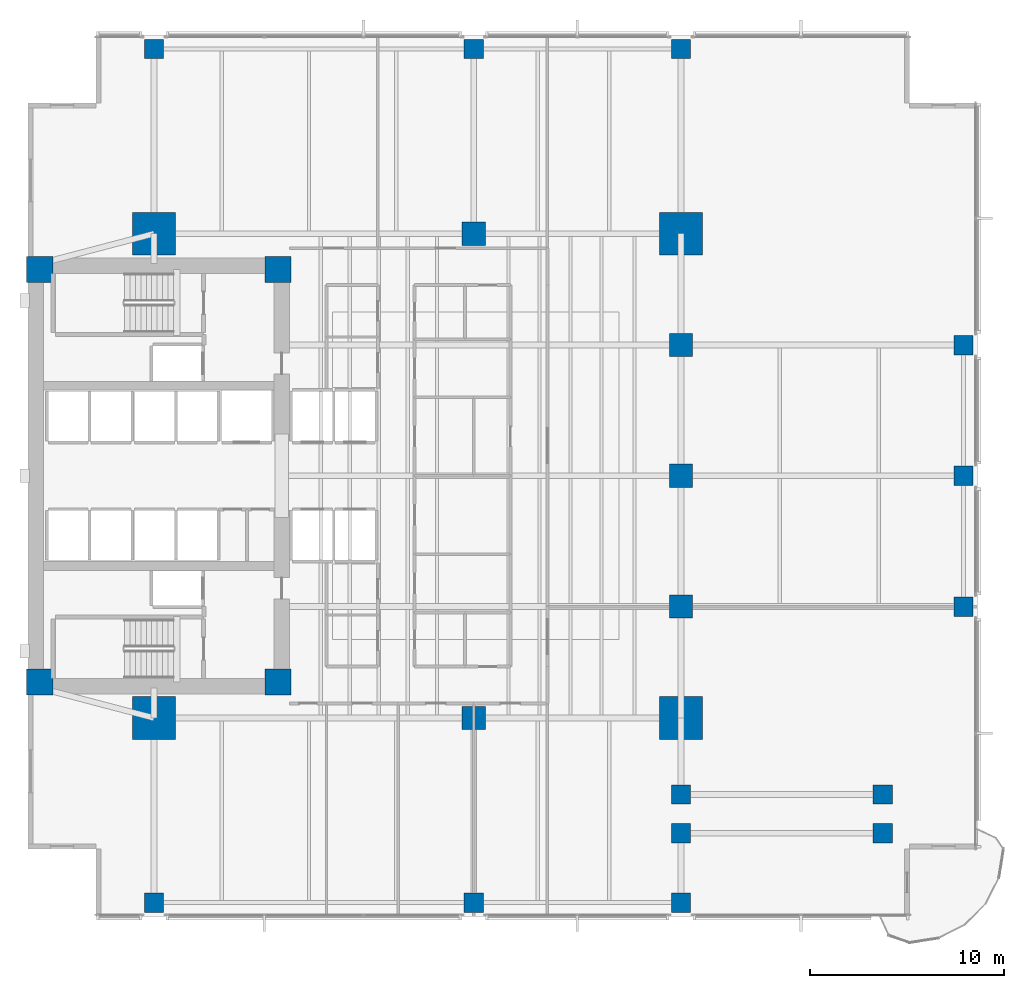
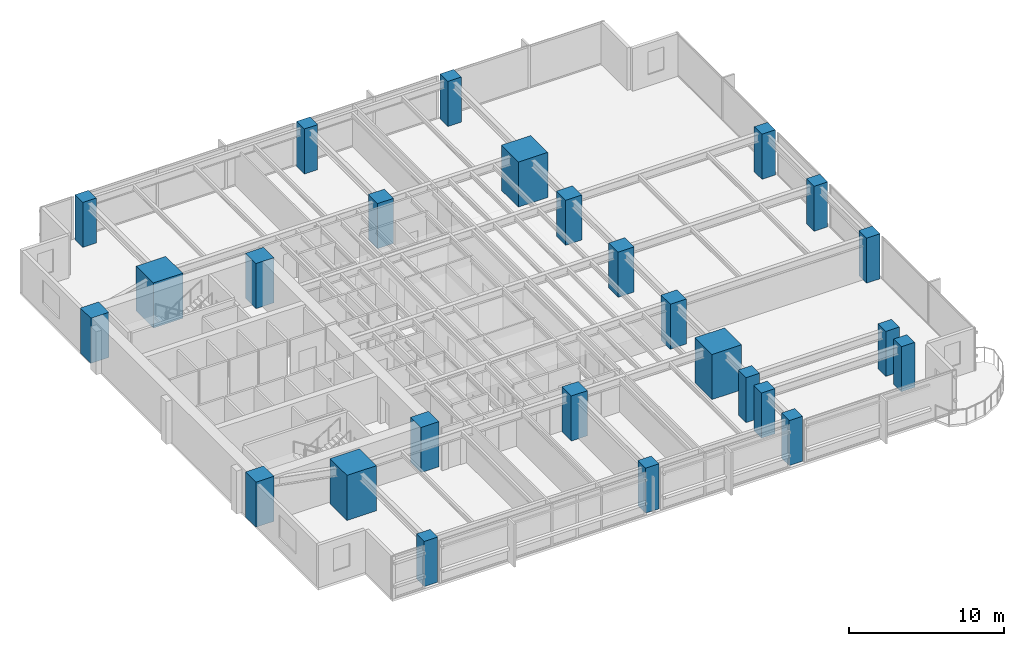
# One storey, part 1 of 15: 26 columns.
"""IFC4 building model written with IfcOpenShell, lengths in metres."""

from ifc_helpers import new_model, si_unit, direction, frame, origin, origin_2d, place, context, subcontext, project, spatial, rectangle, extrude, material, material_profile, profile_set, type_object, element, save


model = new_model("IFC4")

# Units and contexts
model_context = context("Model", 3, precision=1e-05, world=origin(), true_north=direction((0.0, 1.0)))
body_context = subcontext(model_context, "Body", "Model", "MODEL_VIEW")
ifc_project = project(units=[si_unit("LENGTHUNIT", "METRE"), si_unit("AREAUNIT", "SQUARE_METRE"), si_unit("VOLUMEUNIT", "CUBIC_METRE"), si_unit("PLANEANGLEUNIT", "RADIAN"), si_unit("MASSUNIT", "GRAM", prefix="KILO")], contexts=[model_context])

# Site, building, storey
site_placement = place(None, origin())
site = spatial("IfcSite", under=ifc_project, at=site_placement, CompositionType="ELEMENT")
building_placement = place(site_placement, origin())
building = spatial("IfcBuilding", under=site, at=building_placement, Name="Kinhvarn Gate Tower", CompositionType="ELEMENT")
storey_placement = place(building_placement, frame((0.0, 0.0, 89.5)))
storey = spatial("IfcBuildingStorey", under=building, at=storey_placement, Name="L23", CompositionType="ELEMENT", Elevation=89.5)

# Columns
ifc_material_1 = material(Name="Concrete C70/85", Category="concrete")
ifc_material_profile_1 = material_profile(ifc_material_1, rectangle(XDim=2.199951171875, YDim=2.199951171875, at=origin_2d()), Name="RC 2200x2200")
ifc_profile_set_1 = profile_set([ifc_material_profile_1], Name="Concrete C70/85")
column_type_1 = type_object("IfcColumnType", Name="COL-MC-2200", PredefinedType="COLUMN", material=ifc_profile_set_1)
for number, where, z_axis, x_axis, name in (
    (1, (11.0, 12.75, 0.0), (0.0, 0.0, 1.0), (1.0, 0.0, 0.0), "Column MC1-L23 (MC-22)"),
    (2, (11.0, 37.75, 0.0), (0.0, 0.0, 1.0), (1.0, 0.0, 0.0), "Column MC4-L23 (MC-22)"),
    (3, (38.199951171875, 12.75, 0.0), (0.0, 0.0, 1.0), (1.0, 0.0, 0.0), "Column MC2-L23 (MC-22)"),
    (4, (38.199951171875, 37.75, 0.0), (0.0, 0.0, 1.0), (1.0, 0.0, 0.0), "Column MC3-L23 (MC-22)"),
):
    element("IfcColumn", number, at=place(storey_placement, frame(where, z_axis=z_axis, x_axis=x_axis)), inside=storey, type_object=column_type_1, Name=name, PredefinedType="COLUMN", context=body_context, shape_type="SweptSolid", body=[
        extrude(rectangle(XDim=2.199951171875, YDim=2.199951171875, at=origin_2d()), origin(), (0.0, 0.0, 1.0), 3.550048828125),
    ])
ifc_material_2 = material(Name="Concrete C60/75", Category="concrete")
ifc_material_profile_2 = material_profile(ifc_material_2, rectangle(XDim=1.0, YDim=1.0, at=origin_2d()), Name="RC 1000x1000")
ifc_profile_set_2 = profile_set([ifc_material_profile_2], Name="Concrete C60/75")
column_type_2 = type_object("IfcColumnType", Name="COL-RC-1000", PredefinedType="COLUMN", material=ifc_profile_set_2)
for number, where, z_axis, x_axis, name in (
    (5, (48.6201171875, 6.800048828125, 0.0), (0.0, 0.0, 1.0), (1.0, 0.0, 0.0), "Column CS-SE1-L23 (C-100)"),
    (6, (38.199951171875, 6.800048828125, 0.0), (0.0, 0.0, 1.0), (1.0, 0.0, 0.0), "Column CS-ANC68-L23 (C-100)"),
    (7, (38.199951171875, 8.800048828125, 0.0), (0.0, 0.0, 1.0), (1.0, 0.0, 0.0), "Column CS-ANC88-L23 (C-100)"),
    (8, (48.6201171875, 8.800048828125, 0.0), (0.0, 0.0, 1.0), (1.0, 0.0, 0.0), "Column CS-SE1B-L23 (C-100)"),
    (9, (52.780029296875, 18.5, 0.0), (0.0, 0.0, 1.0), (1.0, 0.0, 0.0), "Column CE-1-L23 (C-100)"),
    (10, (52.780029296875, 25.25, 0.0), (0.0, 0.0, 1.0), (1.0, 0.0, 0.0), "Column CE-2-L23 (C-100)"),
    (11, (52.780029296875, 32.0, 0.0), (0.0, 0.0, 1.0), (1.0, 0.0, 0.0), "Column CE-3-L23 (C-100)"),
    (12, (11.0, 3.219970703125, 0.0), (0.0, 0.0, 1.0), (1.0, 0.0, 0.0), "Column CS-0-L23 (C-100)"),
    (13, (27.5, 3.219970703125, 0.0), (0.0, 0.0, 1.0), (1.0, 0.0, 0.0), "Column CS-1-L23 (C-100)"),
    (14, (38.199951171875, 3.219970703125, 0.0), (0.0, 0.0, 1.0), (1.0, 0.0, 0.0), "Column CS-2-L23 (C-100)"),
    (15, (11.0, 47.280029296875, 0.0), (0.0, 0.0, 1.0), (1.0, 0.0, 0.0), "Column CN-0-L23 (C-100)"),
    (16, (27.5, 47.280029296875, 0.0), (0.0, 0.0, 1.0), (1.0, 0.0, 0.0), "Column CN-1-L23 (C-100)"),
    (17, (38.199951171875, 47.280029296875, 0.0), (0.0, 0.0, 1.0), (1.0, 0.0, 0.0), "Column CN-2-L23 (C-100)"),
):
    element("IfcColumn", number, at=place(storey_placement, frame(where, z_axis=z_axis, x_axis=x_axis)), inside=storey, type_object=column_type_2, Name=name, PredefinedType="COLUMN", context=body_context, shape_type="SweptSolid", body=[
        extrude(rectangle(XDim=1.0, YDim=1.0, at=origin_2d()), origin(), (0.0, 0.0, 1.0), 3.550048828125),
    ])
ifc_material_profile_3 = material_profile(ifc_material_2, rectangle(XDim=1.199951171875, YDim=1.199951171875, at=origin_2d()), Name="RC 1200x1200")
ifc_profile_set_3 = profile_set([ifc_material_profile_3], Name="Concrete C60/75")
column_type_3 = type_object("IfcColumnType", Name="COL-RC-1200", PredefinedType="COLUMN", material=ifc_profile_set_3)
for number, where, z_axis, x_axis, name in (
    (18, (27.5, 12.75, 0.0), (0.0, 0.0, 1.0), (1.0, 0.0, 0.0), "Column SP27-S-L23 (C-120)"),
    (19, (27.5, 37.75, 0.0), (0.0, 0.0, 1.0), (1.0, 0.0, 0.0), "Column SP27-N-L23 (C-120)"),
    (20, (38.199951171875, 18.5, 0.0), (0.0, 0.0, 1.0), (1.0, 0.0, 0.0), "Column SP38-E1-L23 (C-120)"),
    (21, (38.199951171875, 25.25, 0.0), (0.0, 0.0, 1.0), (1.0, 0.0, 0.0), "Column SP38-E2-L23 (C-120)"),
    (22, (38.199951171875, 32.0, 0.0), (0.0, 0.0, 1.0), (1.0, 0.0, 0.0), "Column SP38-E3-L23 (C-120)"),
):
    element("IfcColumn", number, at=place(storey_placement, frame(where, z_axis=z_axis, x_axis=x_axis)), inside=storey, type_object=column_type_3, Name=name, PredefinedType="COLUMN", context=body_context, shape_type="SweptSolid", body=[
        extrude(rectangle(XDim=1.199951171875, YDim=1.199951171875, at=origin_2d()), origin(), (0.0, 0.0, 1.0), 3.550048828125),
    ])
ifc_material_profile_4 = material_profile(ifc_material_1, rectangle(XDim=1.35009765625, YDim=1.35009765625, at=origin_2d()), Name="RC 1350x1350")
ifc_profile_set_4 = profile_set([ifc_material_profile_4], Name="Concrete C70/85")
column_type_4 = type_object("IfcColumnType", Name="PIL-RC-1350", PredefinedType="PILASTER", material=ifc_profile_set_4)
for number, where, z_axis, x_axis, name in (
    (23, (5.10009765625, 14.60009765625, 0.0), (0.0, 0.0, 1.0), (1.0, 0.0, 0.0), "Column CC-SW-L23 (CP-135)"),
    (24, (5.10009765625, 35.89990234375, 0.0), (0.0, 0.0, 1.0), (1.0, 0.0, 0.0), "Column CC-NW-L23 (CP-135)"),
    (25, (17.39990234375, 14.60009765625, 0.0), (0.0, 0.0, 1.0), (1.0, 0.0, 0.0), "Column CC-SE-L23 (CP-135)"),
    (26, (17.39990234375, 35.89990234375, 0.0), (0.0, 0.0, 1.0), (1.0, 0.0, 0.0), "Column CC-NE-L23 (CP-135)"),
):
    element("IfcColumn", number, at=place(storey_placement, frame(where, z_axis=z_axis, x_axis=x_axis)), inside=storey, type_object=column_type_4, Name=name, PredefinedType="PILASTER", context=body_context, shape_type="SweptSolid", body=[
        extrude(rectangle(XDim=1.35009765625, YDim=1.35009765625, at=origin_2d()), origin(), (0.0, 0.0, 1.0), 3.550048828125),
    ])

save(model, "model.ifc")
